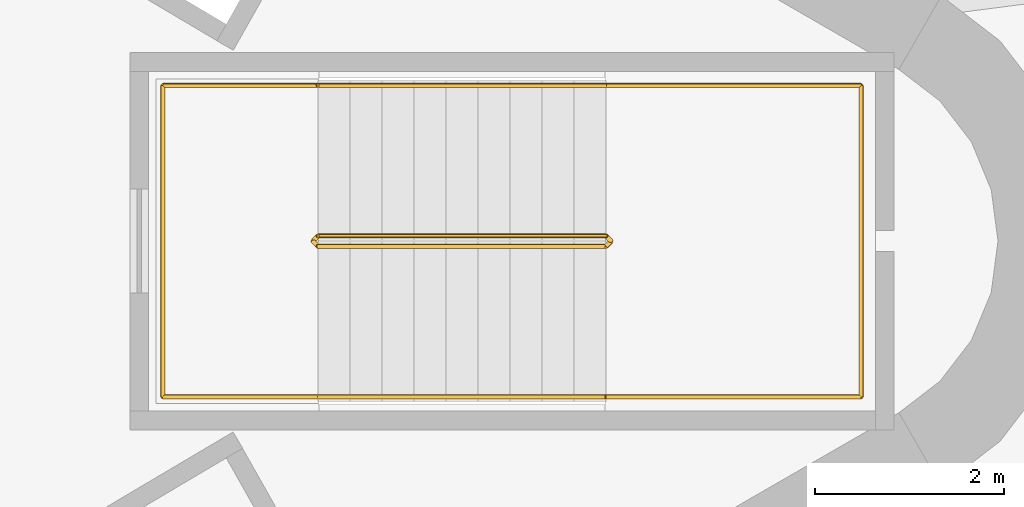
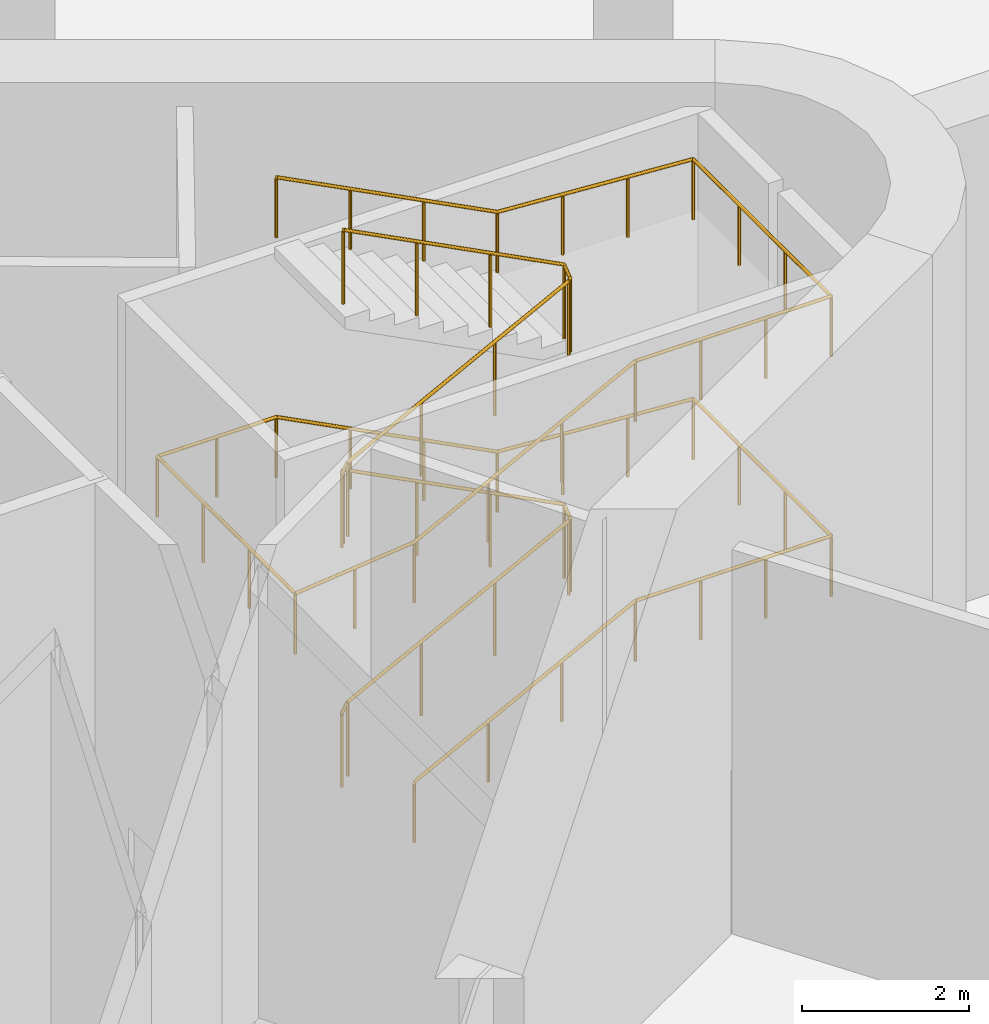
# One storey, part 14 of 15: 2 railings.
"""IFC4 building model written with IfcOpenShell, lengths in metres."""

from ifc_helpers import new_model, si_unit, direction, frame, origin, origin_2d, place, context, subcontext, project, spatial, circle, extrude, material, type_object, element, save


model = new_model("IFC4")

# Units and contexts
model_context = context("Model", 3, precision=1e-05, world=origin(), true_north=direction((0.0, 1.0)))
body_context = subcontext(model_context, "Body", "Model", "MODEL_VIEW")
ifc_project = project(units=[si_unit("LENGTHUNIT", "METRE"), si_unit("AREAUNIT", "SQUARE_METRE"), si_unit("VOLUMEUNIT", "CUBIC_METRE"), si_unit("PLANEANGLEUNIT", "RADIAN"), si_unit("MASSUNIT", "GRAM", prefix="KILO")], contexts=[model_context])

# Site, building, storey
site_placement = place(None, origin())
site = spatial("IfcSite", under=ifc_project, at=site_placement, CompositionType="ELEMENT")
building_placement = place(site_placement, origin())
building = spatial("IfcBuilding", under=site, at=building_placement, Name="Tanit Gate Tower", CompositionType="ELEMENT")
storey_placement = place(building_placement, frame((0.0, 0.0, 156.199951171875)))
storey = spatial("IfcBuildingStorey", under=building, at=storey_placement, Name="L34", CompositionType="ELEMENT", Elevation=156.199951171875)

# Railings
ifc_material_1 = material(Name="Stainless steel balustrade", Category="steel")
railing_type_1 = type_object("IfcRailingType", Name="INT-STAIR-GUARD", PredefinedType="GUARDRAIL", material=ifc_material_1)
railing_1_placement = place(storey_placement, frame((13.044921875, 0.0048828125, 0.0)))
element("IfcRailing", 1, at=railing_1_placement, inside=storey, type_object=railing_type_1, Name="L34 S1 stair guard 1", PredefinedType="GUARDRAIL", context=body_context, shape_type="SweptSolid", body=[
    extrude(circle(Radius=0.02392578125, at=origin_2d()), frame((0.0, 0.0, 1.076171875), z_axis=(0.0, -1.0, 0.0), x_axis=(1.0, 0.0, 0.0)), (0.0, 0.0, 1.0), 0.009765625),
    extrude(circle(Radius=0.02392578125, at=origin_2d()), frame((0.0, -0.009765625, 1.076171875), z_axis=(0.265065253269, -0.265065253269, 0.927081885822), x_axis=(0.707106781187, 0.707106781187, 0.0)), (0.0, 0.0, 1.0), 0.188720703125),
    extrude(circle(Radius=0.02392578125, at=origin_2d()), frame((0.050048828125, -0.059814453125, 1.2509765625), z_axis=(0.888593545798, 0.0, 0.458695444022), x_axis=(0.0, 1.0, 0.0)), (0.0, 0.0, 1.0), 3.43359375),
    extrude(circle(Radius=0.02392578125, at=origin_2d()), frame((3.10107421875, -0.059814453125, 2.826171875), z_axis=(0.707106781187, 0.707106781187, 0.0), x_axis=(-0.707106781187, 0.707106781187, 0.0)), (0.0, 0.0, 1.0), 0.07080078125),
    extrude(circle(Radius=0.02392578125, at=origin_2d()), frame((3.151123046875, -0.009765625, 2.826171875), z_axis=(0.0, 1.0, 0.0), x_axis=(-1.0, 0.0, 0.0)), (0.0, 0.0, 1.0), 0.009765625),
    extrude(circle(Radius=0.02392578125, at=origin_2d()), frame((3.151123046875, 0.0, 2.826171875), z_axis=(-0.265065253269, 0.265065253269, 0.927081885822), x_axis=(-0.707106781187, -0.707106781187, 0.0)), (0.0, 0.0, 1.0), 0.188720703125),
    extrude(circle(Radius=0.02392578125, at=origin_2d()), frame((3.10107421875, 0.050048828125, 3.0009765625), z_axis=(-0.888593545798, 0.0, 0.458695444022), x_axis=(0.0, -1.0, 0.0)), (0.0, 0.0, 1.0), 3.43359375),
    extrude(circle(Radius=0.02392578125, at=origin_2d()), frame((0.050048828125, 0.050048828125, 4.576171875), z_axis=(-0.707106781187, -0.707106781187, 0.0), x_axis=(0.707106781187, -0.707106781187, 0.0)), (0.0, 0.0, 1.0), 0.07080078125),
    extrude(circle(Radius=0.02392578125, at=origin_2d()), frame((0.0, 0.0, 4.576171875), z_axis=(0.0, -1.0, 0.0), x_axis=(1.0, 0.0, 0.0)), (0.0, 0.0, 1.0), 0.009765625),
    extrude(circle(Radius=0.02392578125, at=origin_2d()), frame((0.0, -0.009765625, 4.576171875), z_axis=(0.265065253269, -0.265065253269, 0.927081885822), x_axis=(0.707106781187, 0.707106781187, 0.0)), (0.0, 0.0, 1.0), 0.188720703125),
    extrude(circle(Radius=0.02392578125, at=origin_2d()), frame((0.050048828125, -0.059814453125, 4.7509765625), z_axis=(0.888593545798, 0.0, 0.458695444022), x_axis=(0.0, 1.0, 0.0)), (0.0, 0.0, 1.0), 3.43359375),
    extrude(circle(Radius=0.02392578125, at=origin_2d()), frame((3.10107421875, -0.059814453125, 6.326171875), z_axis=(0.707106781187, 0.707106781187, 0.0), x_axis=(-0.707106781187, 0.707106781187, 0.0)), (0.0, 0.0, 1.0), 0.07080078125),
    extrude(circle(Radius=0.02392578125, at=origin_2d()), frame((3.151123046875, -0.009765625, 6.326171875), z_axis=(0.0, 1.0, 0.0), x_axis=(-1.0, 0.0, 0.0)), (0.0, 0.0, 1.0), 0.009765625),
    extrude(circle(Radius=0.02392578125, at=origin_2d()), frame((3.151123046875, 0.0, 6.326171875), z_axis=(-0.265065253269, 0.265065253269, 0.927081885822), x_axis=(-0.707106781187, -0.707106781187, 0.0)), (0.0, 0.0, 1.0), 0.188720703125),
    extrude(circle(Radius=0.02392578125, at=origin_2d()), frame((3.10107421875, 0.050048828125, 6.5009765625), z_axis=(-0.888593545798, 0.0, 0.458695444022), x_axis=(0.0, -1.0, 0.0)), (0.0, 0.0, 1.0), 3.43359375),
    extrude(circle(Radius=0.02099609375, at=origin_2d()), origin(), (0.0, 0.0, 1.0), 1.052001953125),
    extrude(circle(Radius=0.02099609375, at=origin_2d()), frame((0.0, -0.009765625, 0.0)), (0.0, 0.0, 1.0), 1.052001953125),
    extrude(circle(Radius=0.02099609375, at=origin_2d()), frame((0.050048828125, -0.059814453125, 0.175048828125)), (0.0, 0.0, 1.0), 1.052001953125),
    extrude(circle(Radius=0.02099609375, at=origin_2d()), frame((1.067138671875, -0.059814453125, 0.699951171875)), (0.0, 0.0, 1.0), 1.052001953125),
    extrude(circle(Radius=0.02099609375, at=origin_2d()), frame((2.083984375, -0.059814453125, 1.22509765625)), (0.0, 0.0, 1.0), 1.052001953125),
    extrude(circle(Radius=0.02099609375, at=origin_2d()), frame((3.10107421875, -0.059814453125, 1.75)), (0.0, 0.0, 1.0), 1.052001953125),
    extrude(circle(Radius=0.02099609375, at=origin_2d()), frame((3.151123046875, -0.009765625, 1.75)), (0.0, 0.0, 1.0), 1.052001953125),
    extrude(circle(Radius=0.02099609375, at=origin_2d()), frame((3.151123046875, 0.0, 1.75)), (0.0, 0.0, 1.0), 1.052001953125),
    extrude(circle(Radius=0.02099609375, at=origin_2d()), frame((3.10107421875, 0.050048828125, 1.925048828125)), (0.0, 0.0, 1.0), 1.052001953125),
    extrude(circle(Radius=0.02099609375, at=origin_2d()), frame((2.083984375, 0.050048828125, 2.449951171875)), (0.0, 0.0, 1.0), 1.052001953125),
    extrude(circle(Radius=0.02099609375, at=origin_2d()), frame((1.067138671875, 0.050048828125, 2.97509765625)), (0.0, 0.0, 1.0), 1.052001953125),
    extrude(circle(Radius=0.02099609375, at=origin_2d()), frame((0.050048828125, 0.050048828125, 3.5)), (0.0, 0.0, 1.0), 1.052001953125),
    extrude(circle(Radius=0.02099609375, at=origin_2d()), frame((0.0, 0.0, 3.5)), (0.0, 0.0, 1.0), 1.052001953125),
    extrude(circle(Radius=0.02099609375, at=origin_2d()), frame((0.0, -0.009765625, 3.5)), (0.0, 0.0, 1.0), 1.052001953125),
    extrude(circle(Radius=0.02099609375, at=origin_2d()), frame((0.050048828125, -0.059814453125, 3.675048828125)), (0.0, 0.0, 1.0), 1.052001953125),
    extrude(circle(Radius=0.02099609375, at=origin_2d()), frame((1.067138671875, -0.059814453125, 4.199951171875)), (0.0, 0.0, 1.0), 1.052001953125),
    extrude(circle(Radius=0.02099609375, at=origin_2d()), frame((2.083984375, -0.059814453125, 4.72509765625)), (0.0, 0.0, 1.0), 1.052001953125),
    extrude(circle(Radius=0.02099609375, at=origin_2d()), frame((3.10107421875, -0.059814453125, 5.25)), (0.0, 0.0, 1.0), 1.052001953125),
    extrude(circle(Radius=0.02099609375, at=origin_2d()), frame((3.151123046875, -0.009765625, 5.25)), (0.0, 0.0, 1.0), 1.052001953125),
    extrude(circle(Radius=0.02099609375, at=origin_2d()), frame((3.151123046875, 0.0, 5.25)), (0.0, 0.0, 1.0), 1.052001953125),
    extrude(circle(Radius=0.02099609375, at=origin_2d()), frame((3.10107421875, 0.050048828125, 5.425048828125)), (0.0, 0.0, 1.0), 1.052001953125),
    extrude(circle(Radius=0.02099609375, at=origin_2d()), frame((2.083984375, 0.050048828125, 5.949951171875)), (0.0, 0.0, 1.0), 1.052001953125),
    extrude(circle(Radius=0.02099609375, at=origin_2d()), frame((1.067138671875, 0.050048828125, 6.47509765625)), (0.0, 0.0, 1.0), 1.052001953125),
    extrude(circle(Radius=0.02099609375, at=origin_2d()), frame((0.050048828125, 0.050048828125, 7.0)), (0.0, 0.0, 1.0), 1.052001953125),
])
ifc_material_2 = material(Name="Stainless steel handrail", Category="steel")
railing_type_2 = type_object("IfcRailingType", Name="INT-STAIR-HANDRAIL", PredefinedType="HANDRAIL", material=ifc_material_2)
railing_2_placement = place(storey_placement, frame((13.094970703125, -1.64990234375, 0.175048828125)))
element("IfcRailing", 2, at=railing_2_placement, inside=storey, type_object=railing_type_2, Name="L34 S1 stair handrail 1", PredefinedType="HANDRAIL", context=body_context, shape_type="SweptSolid", body=[
    extrude(circle(Radius=0.02392578125, at=origin_2d()), frame((0.0, 0.0, 0.8759765625), z_axis=(0.888593545798, 0.0, 0.458695444022), x_axis=(0.0, 1.0, 0.0)), (0.0, 0.0, 1.0), 3.43359375),
    extrude(circle(Radius=0.02392578125, at=origin_2d()), frame((3.051025390625, 0.0, 2.45068359375), z_axis=(1.0, 0.0, 0.0), x_axis=(0.0, 1.0, 0.0)), (0.0, 0.0, 1.0), 2.7041015625),
    extrude(circle(Radius=0.02392578125, at=origin_2d()), frame((5.755126953125, 0.0, 2.45068359375), z_axis=(0.0, 1.0, 0.0), x_axis=(-1.0, 0.0, 0.0)), (0.0, 0.0, 1.0), 3.2998046875),
    extrude(circle(Radius=0.02392578125, at=origin_2d()), frame((5.755126953125, 3.2998046875, 2.45068359375), z_axis=(-0.997911280688, 0.0, 0.064599348885), x_axis=(0.0, -1.0, 0.0)), (0.0, 0.0, 1.0), 2.709716796875),
    extrude(circle(Radius=0.02392578125, at=origin_2d()), frame((3.051025390625, 3.2998046875, 2.6259765625), z_axis=(-0.888593545798, 0.0, 0.458695444022), x_axis=(0.0, -1.0, 0.0)), (0.0, 0.0, 1.0), 3.43359375),
    extrude(circle(Radius=0.02392578125, at=origin_2d()), frame((0.0, 3.2998046875, 4.20068359375), z_axis=(-1.0, 0.0, 0.0), x_axis=(0.0, -1.0, 0.0)), (0.0, 0.0, 1.0), 1.64501953125),
    extrude(circle(Radius=0.02392578125, at=origin_2d()), frame((-1.64501953125, 3.2998046875, 4.20068359375), z_axis=(0.0, -1.0, 0.0), x_axis=(1.0, 0.0, 0.0)), (0.0, 0.0, 1.0), 3.2998046875),
    extrude(circle(Radius=0.02392578125, at=origin_2d()), frame((-1.64501953125, 0.0, 4.20068359375), z_axis=(0.994385940071, 0.0, 0.105813998075), x_axis=(0.0, 1.0, 0.0)), (0.0, 0.0, 1.0), 1.654296875),
    extrude(circle(Radius=0.02392578125, at=origin_2d()), frame((0.0, 0.0, 4.3759765625), z_axis=(0.888593545798, 0.0, 0.458695444022), x_axis=(0.0, 1.0, 0.0)), (0.0, 0.0, 1.0), 3.43359375),
    extrude(circle(Radius=0.02392578125, at=origin_2d()), frame((3.051025390625, 0.0, 5.95068359375), z_axis=(1.0, 0.0, 0.0), x_axis=(0.0, 1.0, 0.0)), (0.0, 0.0, 1.0), 2.7041015625),
    extrude(circle(Radius=0.02392578125, at=origin_2d()), frame((5.755126953125, 0.0, 5.95068359375), z_axis=(0.0, 1.0, 0.0), x_axis=(-1.0, 0.0, 0.0)), (0.0, 0.0, 1.0), 3.2998046875),
    extrude(circle(Radius=0.02392578125, at=origin_2d()), frame((5.755126953125, 3.2998046875, 5.95068359375), z_axis=(-0.997911280688, 0.0, 0.064599348885), x_axis=(0.0, -1.0, 0.0)), (0.0, 0.0, 1.0), 2.709716796875),
    extrude(circle(Radius=0.02392578125, at=origin_2d()), frame((3.051025390625, 3.2998046875, 6.1259765625), z_axis=(-0.888593545798, 0.0, 0.458695444022), x_axis=(0.0, -1.0, 0.0)), (0.0, 0.0, 1.0), 3.43359375),
    extrude(circle(Radius=0.02099609375, at=origin_2d()), origin(), (0.0, 0.0, 1.0), 0.851806640625),
    extrude(circle(Radius=0.02099609375, at=origin_2d()), frame((1.01708984375, 0.0, 0.52490234375)), (0.0, 0.0, 1.0), 0.851806640625),
    extrude(circle(Radius=0.02099609375, at=origin_2d()), frame((2.033935546875, 0.0, 1.050048828125)), (0.0, 0.0, 1.0), 0.851806640625),
    extrude(circle(Radius=0.02099609375, at=origin_2d()), frame((3.051025390625, 0.0, 1.574951171875)), (0.0, 0.0, 1.0), 0.851806640625),
    extrude(circle(Radius=0.02099609375, at=origin_2d()), frame((3.952392578125, 0.0, 1.574951171875)), (0.0, 0.0, 1.0), 0.851806640625),
    extrude(circle(Radius=0.02099609375, at=origin_2d()), frame((4.853759765625, 0.0, 1.574951171875)), (0.0, 0.0, 1.0), 0.851806640625),
    extrude(circle(Radius=0.02099609375, at=origin_2d()), frame((5.755126953125, 0.0, 1.574951171875)), (0.0, 0.0, 1.0), 0.851806640625),
    extrude(circle(Radius=0.02099609375, at=origin_2d()), frame((5.755126953125, 1.099853515625, 1.574951171875)), (0.0, 0.0, 1.0), 0.851806640625),
    extrude(circle(Radius=0.02099609375, at=origin_2d()), frame((5.755126953125, 2.199951171875, 1.574951171875)), (0.0, 0.0, 1.0), 0.851806640625),
    extrude(circle(Radius=0.02099609375, at=origin_2d()), frame((5.755126953125, 3.2998046875, 1.574951171875)), (0.0, 0.0, 1.0), 0.851806640625),
    extrude(circle(Radius=0.02099609375, at=origin_2d()), frame((4.853759765625, 3.2998046875, 1.63330078125)), (0.0, 0.0, 1.0), 0.851806640625),
    extrude(circle(Radius=0.02099609375, at=origin_2d()), frame((3.952392578125, 3.2998046875, 1.691650390625)), (0.0, 0.0, 1.0), 0.851806640625),
    extrude(circle(Radius=0.02099609375, at=origin_2d()), frame((3.051025390625, 3.2998046875, 1.75)), (0.0, 0.0, 1.0), 0.851806640625),
    extrude(circle(Radius=0.02099609375, at=origin_2d()), frame((2.033935546875, 3.2998046875, 2.27490234375)), (0.0, 0.0, 1.0), 0.851806640625),
    extrude(circle(Radius=0.02099609375, at=origin_2d()), frame((1.01708984375, 3.2998046875, 2.800048828125)), (0.0, 0.0, 1.0), 0.851806640625),
    extrude(circle(Radius=0.02099609375, at=origin_2d()), frame((0.0, 3.2998046875, 3.324951171875)), (0.0, 0.0, 1.0), 0.851806640625),
    extrude(circle(Radius=0.02099609375, at=origin_2d()), frame((-0.822509765625, 3.2998046875, 3.324951171875)), (0.0, 0.0, 1.0), 0.851806640625),
    extrude(circle(Radius=0.02099609375, at=origin_2d()), frame((-1.64501953125, 3.2998046875, 3.324951171875)), (0.0, 0.0, 1.0), 0.851806640625),
    extrude(circle(Radius=0.02099609375, at=origin_2d()), frame((-1.64501953125, 2.199951171875, 3.324951171875)), (0.0, 0.0, 1.0), 0.851806640625),
    extrude(circle(Radius=0.02099609375, at=origin_2d()), frame((-1.64501953125, 1.099853515625, 3.324951171875)), (0.0, 0.0, 1.0), 0.851806640625),
    extrude(circle(Radius=0.02099609375, at=origin_2d()), frame((-1.64501953125, 0.0, 3.324951171875)), (0.0, 0.0, 1.0), 0.851806640625),
    extrude(circle(Radius=0.02099609375, at=origin_2d()), frame((-0.822509765625, 0.0, 3.41259765625)), (0.0, 0.0, 1.0), 0.851806640625),
    extrude(circle(Radius=0.02099609375, at=origin_2d()), frame((0.0, 0.0, 3.5)), (0.0, 0.0, 1.0), 0.851806640625),
    extrude(circle(Radius=0.02099609375, at=origin_2d()), frame((1.01708984375, 0.0, 4.02490234375)), (0.0, 0.0, 1.0), 0.851806640625),
    extrude(circle(Radius=0.02099609375, at=origin_2d()), frame((2.033935546875, 0.0, 4.550048828125)), (0.0, 0.0, 1.0), 0.851806640625),
    extrude(circle(Radius=0.02099609375, at=origin_2d()), frame((3.051025390625, 0.0, 5.074951171875)), (0.0, 0.0, 1.0), 0.851806640625),
    extrude(circle(Radius=0.02099609375, at=origin_2d()), frame((3.952392578125, 0.0, 5.074951171875)), (0.0, 0.0, 1.0), 0.851806640625),
    extrude(circle(Radius=0.02099609375, at=origin_2d()), frame((4.853759765625, 0.0, 5.074951171875)), (0.0, 0.0, 1.0), 0.851806640625),
    extrude(circle(Radius=0.02099609375, at=origin_2d()), frame((5.755126953125, 0.0, 5.074951171875)), (0.0, 0.0, 1.0), 0.851806640625),
    extrude(circle(Radius=0.02099609375, at=origin_2d()), frame((5.755126953125, 1.099853515625, 5.074951171875)), (0.0, 0.0, 1.0), 0.851806640625),
    extrude(circle(Radius=0.02099609375, at=origin_2d()), frame((5.755126953125, 2.199951171875, 5.074951171875)), (0.0, 0.0, 1.0), 0.851806640625),
    extrude(circle(Radius=0.02099609375, at=origin_2d()), frame((5.755126953125, 3.2998046875, 5.074951171875)), (0.0, 0.0, 1.0), 0.851806640625),
    extrude(circle(Radius=0.02099609375, at=origin_2d()), frame((4.853759765625, 3.2998046875, 5.13330078125)), (0.0, 0.0, 1.0), 0.851806640625),
    extrude(circle(Radius=0.02099609375, at=origin_2d()), frame((3.952392578125, 3.2998046875, 5.191650390625)), (0.0, 0.0, 1.0), 0.851806640625),
    extrude(circle(Radius=0.02099609375, at=origin_2d()), frame((3.051025390625, 3.2998046875, 5.25)), (0.0, 0.0, 1.0), 0.851806640625),
    extrude(circle(Radius=0.02099609375, at=origin_2d()), frame((2.033935546875, 3.2998046875, 5.77490234375)), (0.0, 0.0, 1.0), 0.851806640625),
    extrude(circle(Radius=0.02099609375, at=origin_2d()), frame((1.01708984375, 3.2998046875, 6.300048828125)), (0.0, 0.0, 1.0), 0.851806640625),
    extrude(circle(Radius=0.02099609375, at=origin_2d()), frame((0.0, 3.2998046875, 6.824951171875)), (0.0, 0.0, 1.0), 0.851806640625),
])

save(model, "model.ifc")
